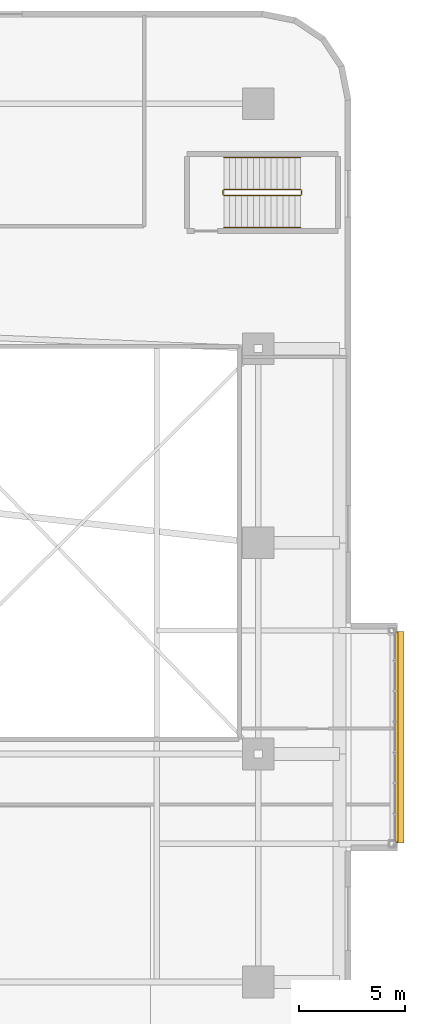
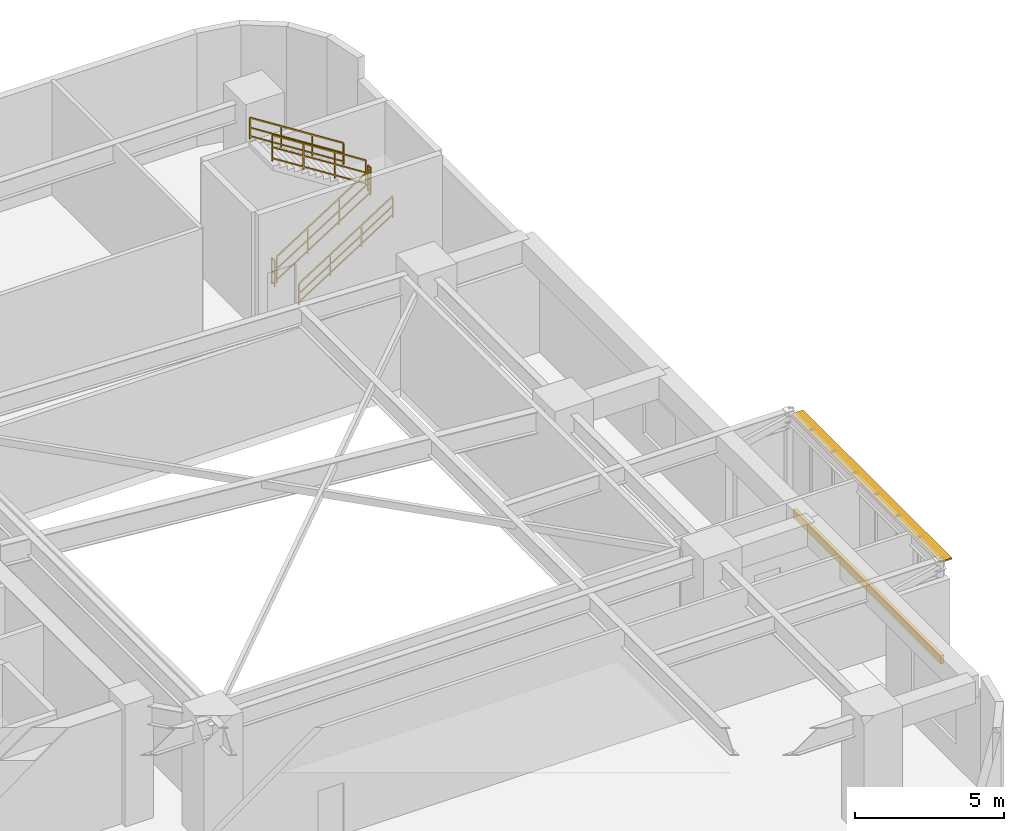
# One storey, part 23 of 24: 6 railings, 2 shading devices.
"""IFC4 building model written with IfcOpenShell, lengths in metres."""

import ifcopenshell
import ifcopenshell.guid

model = None  # the IFC model being written
_history = None  # IfcOwnerHistory: only IFC2X3 demands one
_inside = {}  # id of a spatial element -> (the spatial element, [elements in it])
_under = {}  # id of a project, library or spatial element -> (it, [spatial elements below it])
_declared = {}  # id of a project -> (the project, [libraries it declares])
_typed = {}  # id of a type object -> (the type object, [elements of that type])
_made_of = {}  # id of a material, layer set ... -> (it, [elements and type objects made of it])


def new_model(schema):
    """Start an empty IFC model of exactly this schema.

    Asked for "IFC4X3", IfcOpenShell would pick the latest addendum, in which some entities
    have other attributes; the version numbers below select the first issue.
    IFC2X3 requires an IfcOwnerHistory on every rooted entity: one is made here for all.
    """
    global model, _history
    if schema == "IFC4X3":
        model = ifcopenshell.file(schema_version=(4, 3, 0, 0))
    else:
        model = ifcopenshell.file(schema=schema)
    _inside.clear()
    _under.clear()
    _declared.clear()
    _typed.clear()
    _made_of.clear()
    _history = None
    if model.schema == "IFC2X3":
        org = make("IfcOrganization", Name="unknown")
        user = make(
            "IfcPersonAndOrganization",
            ThePerson=make("IfcPerson", FamilyName="unknown"),
            TheOrganization=org,
        )
        app = make(
            "IfcApplication",
            ApplicationDeveloper=org,
            Version="unknown",
            ApplicationFullName="unknown",
            ApplicationIdentifier="unknown",
        )
        _history = make(
            "IfcOwnerHistory",
            OwningUser=user,
            OwningApplication=app,
            ChangeAction="ADDED",
            CreationDate=0,
        )
    return model


def make(cls, **values):
    """One entity of the class cls with the attributes given. An attribute that is None is left unset."""
    return model.create_entity(
        cls, **{name: value for name, value in values.items() if value is not None}
    )


def rooted(cls, **values):
    """An entity with a GlobalId (a new one), such as an element, a storey or a relation."""
    return make(cls, GlobalId=ifcopenshell.guid.new(), OwnerHistory=_history, **values)


def si_unit(unit_type, name, prefix=None):
    """IfcSIUnit, for example si_unit("LENGTHUNIT", "METRE", prefix="MILLI")."""
    return make("IfcSIUnit", UnitType=unit_type, Prefix=prefix, Name=name)


def assignment(units):
    """IfcUnitAssignment: the units of a project."""
    return None if units is None else make("IfcUnitAssignment", Units=units)


def point(xyz):
    """IfcCartesianPoint."""
    return None if xyz is None else make("IfcCartesianPoint", Coordinates=xyz)


def direction(xyz):
    """IfcDirection."""
    return None if xyz is None else make("IfcDirection", DirectionRatios=xyz)


def frame(location, z_axis=None, x_axis=None):
    """IfcAxis2Placement3D, a coordinate frame: its origin and axes. An axis left out is left unset."""
    return make(
        "IfcAxis2Placement3D",
        Location=point(location),
        Axis=direction(z_axis),
        RefDirection=direction(x_axis),
    )


def frame_2d(location, x_axis=None):
    """IfcAxis2Placement2D, a coordinate frame in the plane: its origin and x axis."""
    return make(
        "IfcAxis2Placement2D", Location=point(location), RefDirection=direction(x_axis)
    )


def origin():
    """The frame at (0, 0, 0) with its axes left unset."""
    return frame((0.0, 0.0, 0.0))


def origin_2d():
    """The frame at (0, 0) in the plane with its x axis left unset."""
    return frame_2d((0.0, 0.0))


def place(relative_to, where):
    """IfcLocalPlacement: puts the frame where relative to a parent placement (None: the world)."""
    return make(
        "IfcLocalPlacement", PlacementRelTo=relative_to, RelativePlacement=where
    )


def context(
    kind, dimensions, precision=None, world=None, true_north=None, identifier=None
):
    """IfcGeometricRepresentationContext, for example the 3D "Model" context."""
    return make(
        "IfcGeometricRepresentationContext",
        ContextIdentifier=identifier,
        ContextType=kind,
        CoordinateSpaceDimension=dimensions,
        Precision=precision,
        WorldCoordinateSystem=world,
        TrueNorth=true_north,
    )


def subcontext(parent, identifier, kind, view, scale=None):
    """IfcGeometricRepresentationSubContext, for example "Body" below "Model"."""
    return make(
        "IfcGeometricRepresentationSubContext",
        ContextIdentifier=identifier,
        ContextType=kind,
        ParentContext=parent,
        TargetScale=scale,
        TargetView=view,
    )


def project(units=None, contexts=None):
    """IfcProject with its units and contexts."""
    return rooted(
        "IfcProject",
        Name="project",
        RepresentationContexts=contexts,
        UnitsInContext=assignment(units),
    )


def spatial(cls, under=None, at=None, **own):
    """A site, building, storey or space (cls), placed at a placement, below another one or the project."""
    s = rooted(cls, ObjectPlacement=at, **own)
    if under is not None:
        _under.setdefault(under.id(), (under, []))[1].append(s)
    return s


def profile(cls, at=None, kind="AREA", **sizes):
    """A parametric profile (cls). Its sizes go by their IFC names, for example OverallWidth=200.0."""
    return make(cls, ProfileType=kind, Position=at, **sizes)


def rectangle(**sizes):
    """IfcRectangleProfileDef."""
    return profile("IfcRectangleProfileDef", **sizes)


def extrude(swept, where, along, depth):
    """IfcExtrudedAreaSolid: the profile swept, set in the frame where, extruded along a direction by depth."""
    return make(
        "IfcExtrudedAreaSolid",
        SweptArea=swept,
        Position=where,
        ExtrudedDirection=direction(along),
        Depth=depth,
    )


def shape(context_of_items, identifier, shape_type, items):
    """IfcShapeRepresentation: the items that make up one representation, for example the "Body"."""
    return make(
        "IfcShapeRepresentation",
        ContextOfItems=context_of_items,
        RepresentationIdentifier=identifier,
        RepresentationType=shape_type,
        Items=items,
    )


def material(Name=None, Category=None):
    """IfcMaterial."""
    return make("IfcMaterial", Name=Name, Category=Category)


def layer(
    of_material, thickness, ventilated=None, Name=None, Category=None, Priority=None
):
    """IfcMaterialLayer: one layer of a wall or slab, of a material (None: an air gap)."""
    return make(
        "IfcMaterialLayer",
        Material=of_material,
        LayerThickness=thickness,
        IsVentilated=ventilated,
        Name=Name,
        Category=Category,
        Priority=Priority,
    )


def layer_set(layers, Name=None):
    """IfcMaterialLayerSet."""
    return make("IfcMaterialLayerSet", MaterialLayers=layers, LayerSetName=Name)


def made_of(thing, what):
    """Note that an element or type object is made of a material, layer set ...; save() writes the relation."""
    if what is not None:
        _made_of.setdefault(what.id(), (what, []))[1].append(thing)
    return thing


def type_object(cls, material=None, **own):
    """A type object (cls), such as IfcWallType, which elements share."""
    return made_of(rooted(cls, **own), material)


def element(
    cls,
    number,
    at=None,
    inside=None,
    cuts=None,
    type_object=None,
    material=None,
    context=None,
    identifier="Body",
    shape_type=None,
    held_by="IfcProductDefinitionShape",
    body=None,
    shapes=None,
    **own,
):
    """One element of the class cls, such as IfcWall. Its Tag is "e" and its number.

    at: its placement. inside: the storey or other place that contains it. cuts: it is an
    opening in that element (IfcRelVoidsElement). A single representation is given by context,
    identifier, shape_type and body (its items); several are given by shapes. held_by: the class
    of the entity that holds the representations. save() writes the other relations.
    """
    e = rooted(cls, Tag="e%d" % number, ObjectPlacement=at, **own)
    if body is not None:
        shapes = [shape(context, identifier, shape_type, body)]
    if shapes is not None:
        e.Representation = make(held_by, Representations=shapes)
    if inside is not None:
        _inside.setdefault(inside.id(), (inside, []))[1].append(e)
    if cuts is not None:
        rooted(
            "IfcRelVoidsElement", RelatingBuildingElement=cuts, RelatedOpeningElement=e
        )
    if type_object is not None:
        _typed.setdefault(type_object.id(), (type_object, []))[1].append(e)
    return made_of(e, material)


def aggregate(whole, parts):
    """IfcRelAggregates: a whole, such as a stair, and the parts it consists of."""
    return rooted("IfcRelAggregates", RelatingObject=whole, RelatedObjects=parts)


def save(model, path):
    """Write the relations noted so far, then the file.

    IfcRelAggregates (storeys below a building ...), IfcRelContainedInSpatialStructure (elements
    in a storey), IfcRelDefinesByType, IfcRelAssociatesMaterial and IfcRelDeclares: one each for
    every whole, place, type object, material and project.
    """
    for whole, parts in _under.values():
        aggregate(whole, parts)
    for where, things in _inside.values():
        rooted(
            "IfcRelContainedInSpatialStructure",
            RelatedElements=things,
            RelatingStructure=where,
        )
    for kind, things in _typed.values():
        rooted("IfcRelDefinesByType", RelatedObjects=things, RelatingType=kind)
    for what, things in _made_of.values():
        rooted("IfcRelAssociatesMaterial", RelatedObjects=things, RelatingMaterial=what)
    for by, libraries in _declared.values():
        rooted("IfcRelDeclares", RelatingContext=by, RelatedDefinitions=libraries)
    model.write(path)


model = new_model("IFC4")

# Units and contexts
model_context = context("Model", 3, precision=1e-05, world=origin(), true_north=direction((0.0, 1.0)))
body_context = subcontext(model_context, "Body", "Model", "MODEL_VIEW")
ifc_project = project(units=[si_unit("LENGTHUNIT", "METRE"), si_unit("AREAUNIT", "SQUARE_METRE"), si_unit("VOLUMEUNIT", "CUBIC_METRE"), si_unit("PLANEANGLEUNIT", "RADIAN"), si_unit("MASSUNIT", "GRAM", prefix="KILO")], contexts=[model_context])

# Site, building, storey
site_placement = place(None, origin())
site = spatial("IfcSite", under=ifc_project, at=site_placement, CompositionType="ELEMENT")
building_placement = place(site_placement, origin())
building = spatial("IfcBuilding", under=site, at=building_placement, Name="Zulverin Broadcast Headquarters", CompositionType="ELEMENT")
storey_placement = place(building_placement, frame((0.0, 0.0, 5.0)))
storey = spatial("IfcBuildingStorey", under=building, at=storey_placement, Name="L01", CompositionType="ELEMENT", Elevation=5.0)

# Railings
ifc_material_1 = material(Name="Painted galvanized steel tubular guardrail S355JR", Category="steel")
railing_type_1 = type_object("IfcRailingType", Name="RL-ST-GUARD", PredefinedType="GUARDRAIL", material=ifc_material_1)
railing_1_placement = place(storey_placement, frame((67.969970703125, 41.64990234375, 0.178466796875)))
element("IfcRailing", 1, at=railing_1_placement, inside=storey, type_object=railing_type_1, Name="L01 ST-4 stair guard 1", PredefinedType="GUARDRAIL", context=body_context, shape_type="SweptSolid", body=[
    extrude(rectangle(XDim=0.048095703125, YDim=0.048095703125, at=origin_2d()), frame((0.0, 0.0, 1.076171875), z_axis=(0.843127859045, 0.0, 0.537713132908), x_axis=(0.0, 1.0, 0.0)), (0.0, 0.0, 1.0), 4.3173828125),
    extrude(rectangle(XDim=0.0419921875, YDim=0.0419921875, at=origin_2d()), frame((0.0, 0.0, 0.572021484375), z_axis=(0.843127859045, 0.0, 0.537713132908), x_axis=(0.0, 1.0, 0.0)), (0.0, 0.0, 1.0), 4.3173828125),
    extrude(rectangle(XDim=0.0419921875, YDim=0.0419921875, at=origin_2d()), frame((0.0, 0.0, 0.1201171875), z_axis=(0.843127859045, 0.0, 0.537713132908), x_axis=(0.0, 1.0, 0.0)), (0.0, 0.0, 1.0), 4.3173828125),
    extrude(rectangle(XDim=0.0419921875, YDim=0.0419921875, at=origin_2d()), origin(), (0.0, 0.0, 1.0), 1.052001953125),
    extrude(rectangle(XDim=0.0419921875, YDim=0.0419921875, at=origin_2d()), frame((1.21337890625, 0.0, 0.77392578125)), (0.0, 0.0, 1.0), 1.052001953125),
    extrude(rectangle(XDim=0.0419921875, YDim=0.0419921875, at=origin_2d()), frame((2.4267578125, 0.0, 1.547607421875)), (0.0, 0.0, 1.0), 1.052001953125),
    extrude(rectangle(XDim=0.0419921875, YDim=0.0419921875, at=origin_2d()), frame((3.64013671875, 0.0, 2.321533203125)), (0.0, 0.0, 1.0), 1.052001953125),
])
railing_2_placement = place(storey_placement, frame((71.659912109375, 41.699951171875, 2.5)))
element("IfcRailing", 2, at=railing_2_placement, inside=storey, type_object=railing_type_1, Name="L01 ST-4 stair guard 2", PredefinedType="GUARDRAIL", context=body_context, shape_type="SweptSolid", body=[
    extrude(rectangle(XDim=0.048095703125, YDim=0.048095703125, at=origin_2d()), frame((0.0, 0.0, 1.076171875), z_axis=(0.0, 1.0, 0.0), x_axis=(-1.0, 0.0, 0.0)), (0.0, 0.0, 1.0), 0.199951171875),
    extrude(rectangle(XDim=0.0419921875, YDim=0.0419921875, at=origin_2d()), frame((0.0, 0.0, 0.572021484375), z_axis=(0.0, 1.0, 0.0), x_axis=(-1.0, 0.0, 0.0)), (0.0, 0.0, 1.0), 0.199951171875),
    extrude(rectangle(XDim=0.0419921875, YDim=0.0419921875, at=origin_2d()), frame((0.0, 0.0, 0.1201171875), z_axis=(0.0, 1.0, 0.0), x_axis=(-1.0, 0.0, 0.0)), (0.0, 0.0, 1.0), 0.199951171875),
    extrude(rectangle(XDim=0.0419921875, YDim=0.0419921875, at=origin_2d()), origin(), (0.0, 0.0, 1.0), 1.052001953125),
    extrude(rectangle(XDim=0.0419921875, YDim=0.0419921875, at=origin_2d()), frame((0.0, 0.199951171875, 0.0)), (0.0, 0.0, 1.0), 1.052001953125),
])
railing_3_placement = place(storey_placement, frame((71.610107421875, 41.949951171875, 2.678466796875)))
element("IfcRailing", 3, at=railing_3_placement, inside=storey, type_object=railing_type_1, Name="L01 ST-4 stair guard 3", PredefinedType="GUARDRAIL", context=body_context, shape_type="SweptSolid", body=[
    extrude(rectangle(XDim=0.048095703125, YDim=0.048095703125, at=origin_2d()), frame((0.0, 0.0, 1.076171875), z_axis=(-0.843127859045, 0.0, 0.537713132908), x_axis=(0.0, -1.0, 0.0)), (0.0, 0.0, 1.0), 4.3173828125),
    extrude(rectangle(XDim=0.0419921875, YDim=0.0419921875, at=origin_2d()), frame((0.0, 0.0, 0.572021484375), z_axis=(-0.843127859045, 0.0, 0.537713132908), x_axis=(0.0, -1.0, 0.0)), (0.0, 0.0, 1.0), 4.3173828125),
    extrude(rectangle(XDim=0.0419921875, YDim=0.0419921875, at=origin_2d()), frame((0.0, 0.0, 0.1201171875), z_axis=(-0.843127859045, 0.0, 0.537713132908), x_axis=(0.0, -1.0, 0.0)), (0.0, 0.0, 1.0), 4.3173828125),
    extrude(rectangle(XDim=0.0419921875, YDim=0.0419921875, at=origin_2d()), origin(), (0.0, 0.0, 1.0), 1.052001953125),
    extrude(rectangle(XDim=0.0419921875, YDim=0.0419921875, at=origin_2d()), frame((-1.21337890625, 0.0, 0.77392578125)), (0.0, 0.0, 1.0), 1.052001953125),
    extrude(rectangle(XDim=0.0419921875, YDim=0.0419921875, at=origin_2d()), frame((-2.4267578125, 0.0, 1.547607421875)), (0.0, 0.0, 1.0), 1.052001953125),
    extrude(rectangle(XDim=0.0419921875, YDim=0.0419921875, at=origin_2d()), frame((-3.64013671875, 0.0, 2.321533203125)), (0.0, 0.0, 1.0), 1.052001953125),
])
railing_4_placement = place(storey_placement, frame((67.919921875, 41.699951171875, 0.0)))
element("IfcRailing", 4, at=railing_4_placement, inside=storey, type_object=railing_type_1, Name="L01 ST-4 stair guard 4", PredefinedType="GUARDRAIL", context=body_context, shape_type="SweptSolid", body=[
    extrude(rectangle(XDim=0.048095703125, YDim=0.048095703125, at=origin_2d()), frame((0.0, 0.0, 1.076171875), z_axis=(0.0, 1.0, 0.0), x_axis=(-1.0, 0.0, 0.0)), (0.0, 0.0, 1.0), 0.199951171875),
    extrude(rectangle(XDim=0.0419921875, YDim=0.0419921875, at=origin_2d()), frame((0.0, 0.0, 0.572021484375), z_axis=(0.0, 1.0, 0.0), x_axis=(-1.0, 0.0, 0.0)), (0.0, 0.0, 1.0), 0.199951171875),
    extrude(rectangle(XDim=0.0419921875, YDim=0.0419921875, at=origin_2d()), frame((0.0, 0.0, 0.1201171875), z_axis=(0.0, 1.0, 0.0), x_axis=(-1.0, 0.0, 0.0)), (0.0, 0.0, 1.0), 0.199951171875),
    extrude(rectangle(XDim=0.0419921875, YDim=0.0419921875, at=origin_2d()), origin(), (0.0, 0.0, 1.0), 1.052001953125),
    extrude(rectangle(XDim=0.0419921875, YDim=0.0419921875, at=origin_2d()), frame((0.0, 0.199951171875, 0.0)), (0.0, 0.0, 1.0), 1.052001953125),
])
ifc_material_2 = material(Name="Brushed stainless steel 48 mm handrail", Category="steel")
railing_type_2 = type_object("IfcRailingType", Name="RL-ST-HAND", PredefinedType="HANDRAIL", material=ifc_material_2)
railing_5_placement = place(storey_placement, frame((67.969970703125, 40.14990234375, 0.178466796875)))
element("IfcRailing", 5, at=railing_5_placement, inside=storey, type_object=railing_type_2, Name="L01 ST-4 stair handrail 1", PredefinedType="HANDRAIL", context=body_context, shape_type="SweptSolid", body=[
    extrude(rectangle(XDim=0.048095703125, YDim=0.048095703125, at=origin_2d()), frame((0.0, 0.0, 0.8759765625), z_axis=(0.843127859045, 0.0, 0.537713132908), x_axis=(0.0, 1.0, 0.0)), (0.0, 0.0, 1.0), 4.3173828125),
    extrude(rectangle(XDim=0.0419921875, YDim=0.0419921875, at=origin_2d()), frame((0.0, 0.0, 0.468017578125), z_axis=(0.843127859045, 0.0, 0.537713132908), x_axis=(0.0, 1.0, 0.0)), (0.0, 0.0, 1.0), 4.3173828125),
    extrude(rectangle(XDim=0.0419921875, YDim=0.0419921875, at=origin_2d()), frame((0.0, 0.0, 0.1201171875), z_axis=(0.843127859045, 0.0, 0.537713132908), x_axis=(0.0, 1.0, 0.0)), (0.0, 0.0, 1.0), 4.3173828125),
    extrude(rectangle(XDim=0.0419921875, YDim=0.0419921875, at=origin_2d()), origin(), (0.0, 0.0, 1.0), 0.851806640625),
    extrude(rectangle(XDim=0.0419921875, YDim=0.0419921875, at=origin_2d()), frame((1.21337890625, 0.0, 0.77392578125)), (0.0, 0.0, 1.0), 0.851806640625),
    extrude(rectangle(XDim=0.0419921875, YDim=0.0419921875, at=origin_2d()), frame((2.4267578125, 0.0, 1.547607421875)), (0.0, 0.0, 1.0), 0.851806640625),
    extrude(rectangle(XDim=0.0419921875, YDim=0.0419921875, at=origin_2d()), frame((3.64013671875, 0.0, 2.321533203125)), (0.0, 0.0, 1.0), 0.851806640625),
])
railing_6_placement = place(storey_placement, frame((71.610107421875, 43.449951171875, 2.678466796875)))
element("IfcRailing", 6, at=railing_6_placement, inside=storey, type_object=railing_type_2, Name="L01 ST-4 stair handrail 2", PredefinedType="HANDRAIL", context=body_context, shape_type="SweptSolid", body=[
    extrude(rectangle(XDim=0.048095703125, YDim=0.048095703125, at=origin_2d()), frame((0.0, 0.0, 0.8759765625), z_axis=(-0.843127859045, 0.0, 0.537713132908), x_axis=(0.0, -1.0, 0.0)), (0.0, 0.0, 1.0), 4.3173828125),
    extrude(rectangle(XDim=0.0419921875, YDim=0.0419921875, at=origin_2d()), frame((0.0, 0.0, 0.468017578125), z_axis=(-0.843127859045, 0.0, 0.537713132908), x_axis=(0.0, -1.0, 0.0)), (0.0, 0.0, 1.0), 4.3173828125),
    extrude(rectangle(XDim=0.0419921875, YDim=0.0419921875, at=origin_2d()), frame((0.0, 0.0, 0.1201171875), z_axis=(-0.843127859045, 0.0, 0.537713132908), x_axis=(0.0, -1.0, 0.0)), (0.0, 0.0, 1.0), 4.3173828125),
    extrude(rectangle(XDim=0.0419921875, YDim=0.0419921875, at=origin_2d()), origin(), (0.0, 0.0, 1.0), 0.851806640625),
    extrude(rectangle(XDim=0.0419921875, YDim=0.0419921875, at=origin_2d()), frame((-1.21337890625, 0.0, 0.77392578125)), (0.0, 0.0, 1.0), 0.851806640625),
    extrude(rectangle(XDim=0.0419921875, YDim=0.0419921875, at=origin_2d()), frame((-2.4267578125, 0.0, 1.547607421875)), (0.0, 0.0, 1.0), 0.851806640625),
    extrude(rectangle(XDim=0.0419921875, YDim=0.0419921875, at=origin_2d()), frame((-3.64013671875, 0.0, 2.321533203125)), (0.0, 0.0, 1.0), 0.851806640625),
])

# Shading devices
ifc_material_3 = material(Name="Anodized pale-metal aluminium acoustic louvre", Category="aluminium")
shading_device_type_1 = type_object("IfcShadingDeviceType", Name="SHD-LOUVRE-350", PredefinedType="USERDEFINED", material=ifc_material_3)
shading_device_1_placement = place(storey_placement, frame((76.159912109375, 16.0, 0.224853515625), z_axis=(0.0, 0.0, 1.0), x_axis=(0.0, 1.0, 0.0)))
element("IfcShadingDevice", 7, at=shading_device_1_placement, inside=storey, type_object=shading_device_type_1, Name="L01 Pale-Metal Acoustic Louvre Screen CW-L01-SBOX_POD_LOWER_E1-F", ObjectType="LOUVRE", PredefinedType="USERDEFINED", context=body_context, shape_type="SweptSolid", body=[
    extrude(rectangle(XDim=9.93994140625, YDim=0.1201171875, at=origin_2d()), origin(), (0.0, 0.0, 1.0), 0.35009765625),
])
ifc_material_4 = material(Name="Anodized pale-metal aluminium sunshade", Category="aluminium")
ifc_layer = layer(ifc_material_4, 0.06005859375, Name="Anodized pale-metal aluminium sunshade", Category="aluminium")
ifc_layer_set = layer_set([ifc_layer], Name="Anodized pale-metal aluminium sunshade")
shading_device_type_2 = type_object("IfcShadingDeviceType", Name="SS-01_PALE_METAL_ALUMINIUM_SUNSHADE", PredefinedType="USERDEFINED", material=ifc_layer_set)
shading_device_2_placement = place(storey_placement, frame((76.280029296875, 16.0, 4.429931640625), z_axis=(0.0, 0.0, 1.0), x_axis=(0.0, 1.0, 0.0)))
element("IfcShadingDevice", 8, at=shading_device_2_placement, inside=storey, type_object=shading_device_type_2, Name="L01 Pale-Metal Horizontal Sunshade Band CW-L01-SBOX_POD_LOWER_E1-F", ObjectType="SUNSHADE", PredefinedType="USERDEFINED", context=body_context, shape_type="SweptSolid", body=[
    extrude(rectangle(XDim=10.02001953125, YDim=0.449951171875, at=origin_2d()), origin(), (0.0, 0.0, 1.0), 0.06005859375),
])

save(model, "model.ifc")
